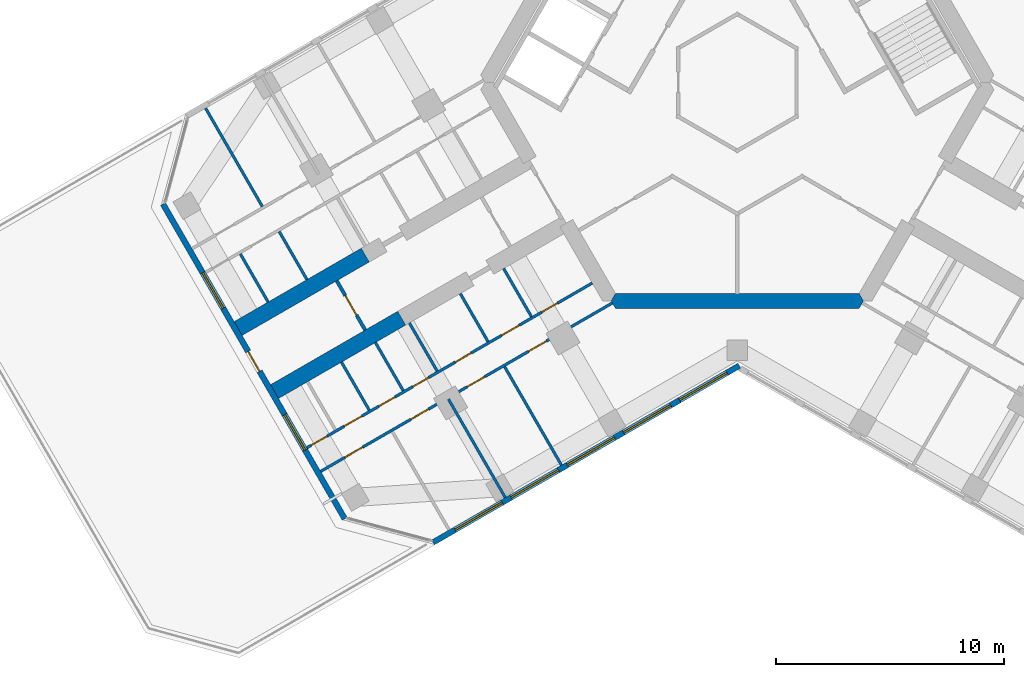
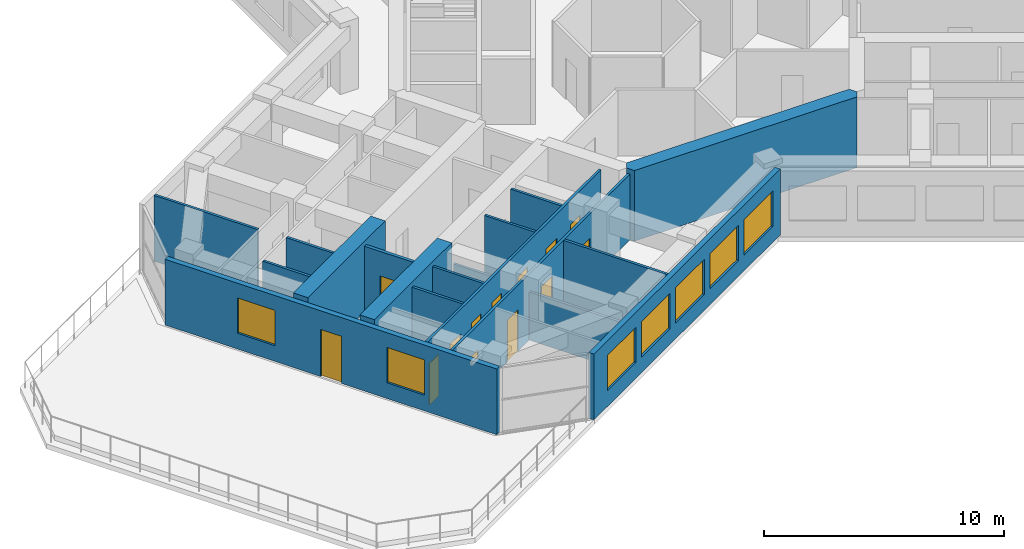
# One storey, part 8 of 17: 18 walls, 13 doors, 7 windows, 20 openings.
"""IFC4 building model written with IfcOpenShell, lengths in metres."""

from ifc_helpers import new_model, si_unit, direction, frame, frame_2d, origin, place, context, subcontext, project, spatial, polyline, rectangle, outline, extrude, material, layer, layer_set, type_object, element, fill, save


model = new_model("IFC4")

# Units and contexts
model_context = context("Model", 3, precision=1e-05, world=origin(), true_north=direction((0.0, 1.0)))
body_context = subcontext(model_context, "Body", "Model", "MODEL_VIEW")
ifc_project = project(units=[si_unit("LENGTHUNIT", "METRE"), si_unit("AREAUNIT", "SQUARE_METRE"), si_unit("VOLUMEUNIT", "CUBIC_METRE"), si_unit("PLANEANGLEUNIT", "RADIAN"), si_unit("MASSUNIT", "GRAM", prefix="KILO")], contexts=[model_context])

# Site, building, storey
site_placement = place(None, origin())
site = spatial("IfcSite", under=ifc_project, at=site_placement, CompositionType="ELEMENT")
building_placement = place(site_placement, origin())
building = spatial("IfcBuilding", under=site, at=building_placement, Name="Kosmar Iwan School Tower", CompositionType="ELEMENT")
storey_placement = place(building_placement, frame((0.0, 0.0, 193.800048828125)))
storey = spatial("IfcBuildingStorey", under=building, at=storey_placement, Name="L48", CompositionType="ELEMENT", Elevation=193.800048828125)

# Walls
ifc_material_1 = material(Name="Concrete C50/60", Category="concrete")
ifc_layer_1 = layer(ifc_material_1, 0.64990234375)
ifc_layer_set_1 = layer_set([ifc_layer_1], Name="Core wall 650")
wall_type_1 = type_object("IfcWallType", Name="Core wall 650", PredefinedType="SHEAR", material=ifc_layer_set_1)
wall_1_placement = place(storey_placement, origin())
element("IfcWall", 1, at=wall_1_placement, inside=storey, type_object=wall_type_1, Name="Core wall F270", PredefinedType="SHEAR", context=body_context, shape_type="SweptSolid", body=[
    extrude(outline(polyline([(-5.35498046875, -9.925048828125), (5.35498046875, -9.925048828125), (5.54248046875, -9.60009765625), (5.35498046875, -9.27490234375), (-5.35498046875, -9.27490234375), (-5.54248046875, -9.60009765625), (-5.35498046875, -9.925048828125)])), origin(), (0.0, 0.0, 1.0), 3.599853515625),
])
ifc_material_2 = material(Name="Concrete C50/60", Category="concrete")
ifc_layer_2 = layer(ifc_material_2, 0.699951171875)
ifc_layer_set_2 = layer_set([ifc_layer_2], Name="Corridor buttress wall 700")
wall_type_2 = type_object("IfcWallType", Name="Corridor buttress wall 700", PredefinedType="SHEAR", material=ifc_layer_set_2)
wall_2_placement = place(storey_placement, frame((-14.7451171875, -10.360595703125, 0.0), z_axis=(0.0, 0.0, 1.0), x_axis=(-0.866021702275, -0.500006411147, 0.0)))
element("IfcWall", 2, at=wall_2_placement, inside=storey, type_object=wall_type_2, Name="Corridor wall BL bay 2", PredefinedType="SHEAR", context=body_context, shape_type="SweptSolid", body=[
    extrude(rectangle(XDim=6.4501953125, YDim=0.699951171875, at=frame_2d((3.22509765625, 0.0))), origin(), (0.0, 0.0, 1.0), 3.599853515625),
])
wall_3_placement = place(storey_placement, frame((-16.34521484375, -7.58935546875, 0.0), z_axis=(0.0, 0.0, 1.0), x_axis=(-0.866012238917, -0.500022801525, 0.0)))
element("IfcWall", 3, at=wall_3_placement, inside=storey, type_object=wall_type_2, Name="Corridor wall BR bay 2", PredefinedType="SHEAR", context=body_context, shape_type="SweptSolid", body=[
    extrude(rectangle(XDim=6.449951171875, YDim=0.699951171875, at=frame_2d((3.22509765625, 0.0))), origin(), (0.0, 0.0, 1.0), 3.599853515625),
])

# Wall, opening, door
ifc_material_3 = material(Name="Gypsum board on steel studs, fire-rated", Category="steel")
ifc_layer_3 = layer(ifc_material_3, 0.14990234375)
ifc_layer_set_3 = layer_set([ifc_layer_3], Name="Corridor end wall 150")
wall_type_3 = type_object("IfcWallType", Name="Corridor end wall 150", PredefinedType="PARTITIONING", material=ifc_layer_set_3)
wall_4_placement = place(storey_placement, frame((-17.59912109375, -8.717529296875, 0.0), z_axis=(0.0, 0.0, 1.0), x_axis=(0.500004234368, -0.866022959057, 0.0)))
wall_4 = element("IfcWall", 4, at=wall_4_placement, inside=storey, type_object=wall_type_3, Name="Partition L48-B-CE", PredefinedType="PARTITIONING", context=body_context, shape_type="SweptSolid", body=[
    extrude(rectangle(XDim=2.5, YDim=0.14990234375, at=frame_2d((1.25, 0.0))), origin(), (0.0, 0.0, 1.0), 3.349853515625),
])
opening_1_placement = place(wall_4_placement, frame((0.75, 0.0, 0.0)))
opening_1 = element("IfcOpeningElement", 5, at=opening_1_placement, cuts=wall_4, Name="Opening D13", PredefinedType="OPENING", context=body_context, shape_type="SweptSolid", body=[
    extrude(rectangle(XDim=1.0, YDim=2.10009765625, at=frame_2d((0.5, 1.050048828125))), frame((0.0, 0.0869140625, 0.0), z_axis=(0.0, -1.0, 0.0), x_axis=(1.0, 0.0, 0.0)), (0.0, 0.0, 1.0), 0.173828125),
])
ifc_material_4 = material(Name="Timber fire door with vision panel", Category="wood")
door_type_1 = type_object("IfcDoorType", Name="Corridor end door 1000x2100", OperationType="SINGLE_SWING_LEFT", PredefinedType="DOOR", material=ifc_material_4)
door_1_placement = place(opening_1_placement, origin())
door_1 = element("IfcDoor", 6, at=door_1_placement, inside=storey, type_object=door_type_1, Name="Roof plant room door L48-B", OperationType="SINGLE_SWING_LEFT", OverallHeight=2.10009765625, OverallWidth=1.0, PredefinedType="DOOR", context=body_context, shape_type="SweptSolid", body=[
    extrude(rectangle(XDim=1.0, YDim=2.10009765625, at=frame_2d((0.5, 1.050048828125))), frame((0.0, 0.02490234375, 0.0), z_axis=(0.0, -1.0, 0.0), x_axis=(1.0, 0.0, 0.0)), (0.0, 0.0, 1.0), 0.050048828125),
])
fill(opening_1, door_1)

# Wall, openings, doors
ifc_material_5 = material(Name="Gypsum board on steel studs", Category="steel")
ifc_layer_4 = layer(ifc_material_5, 0.1201171875)
ifc_layer_set_4 = layer_set([ifc_layer_4], Name="Dwelling partition 120")
wall_type_4 = type_object("IfcWallType", Name="Dwelling partition 120", PredefinedType="PARTITIONING", material=ifc_layer_set_4)
wall_5_placement = place(storey_placement, frame((-6.370361328125, -8.81640625, 0.0), z_axis=(0.0, 0.0, 1.0), x_axis=(-0.866029982428, -0.499992069472, 0.0)))
wall_5 = element("IfcWall", 7, at=wall_5_placement, inside=storey, type_object=wall_type_4, Name="Partition L48-BL1-W1", PredefinedType="PARTITIONING", context=body_context, shape_type="SweptSolid", body=[
    extrude(rectangle(XDim=14.474853515625, YDim=0.1201171875, at=frame_2d((7.2373046875, 0.0))), origin(), (0.0, 0.0, 1.0), 3.349853515625),
])
opening_2_placement = place(wall_5_placement, frame((1.764892578125, 0.0, 0.0)))
opening_2 = element("IfcOpeningElement", 8, at=opening_2_placement, cuts=wall_5, Name="Opening D3", PredefinedType="OPENING", context=body_context, shape_type="SweptSolid", body=[
    extrude(rectangle(XDim=0.800048828125, YDim=2.10009765625, at=frame_2d((0.39990234375, 1.050048828125))), frame((0.0, 0.072021484375, 0.0), z_axis=(0.0, -1.0, 0.0), x_axis=(1.0, 0.0, 0.0)), (0.0, 0.0, 1.0), 0.14404296875),
])
opening_3_placement = place(wall_5_placement, frame((3.705078125, 0.0, 0.0)))
opening_3 = element("IfcOpeningElement", 9, at=opening_3_placement, cuts=wall_5, Name="Opening D2", PredefinedType="OPENING", context=body_context, shape_type="SweptSolid", body=[
    extrude(rectangle(XDim=0.89990234375, YDim=2.10009765625, at=frame_2d((0.449951171875, 1.050048828125))), frame((0.0, 0.072021484375, 0.0), z_axis=(0.0, -1.0, 0.0), x_axis=(1.0, 0.0, 0.0)), (0.0, 0.0, 1.0), 0.14404296875),
])
opening_4_placement = place(wall_5_placement, frame((6.146484375, 0.0, 0.0)))
opening_4 = element("IfcOpeningElement", 10, at=opening_4_placement, cuts=wall_5, Name="Opening D3", PredefinedType="OPENING", context=body_context, shape_type="SweptSolid", body=[
    extrude(rectangle(XDim=0.800048828125, YDim=2.10009765625, at=frame_2d((0.39990234375, 1.050048828125))), frame((0.0, 0.072021484375, 0.0), z_axis=(0.0, -1.0, 0.0), x_axis=(1.0, 0.0, 0.0)), (0.0, 0.0, 1.0), 0.14404296875),
])
opening_5_placement = place(wall_5_placement, frame((8.298583984375, 0.0, 0.0)))
opening_5 = element("IfcOpeningElement", 11, at=opening_5_placement, cuts=wall_5, Name="Opening D3", PredefinedType="OPENING", context=body_context, shape_type="SweptSolid", body=[
    extrude(rectangle(XDim=0.800048828125, YDim=2.10009765625, at=frame_2d((0.39990234375, 1.050048828125))), frame((0.0, 0.072021484375, 0.0), z_axis=(0.0, -1.0, 0.0), x_axis=(1.0, 0.0, 0.0)), (0.0, 0.0, 1.0), 0.14404296875),
])
opening_6_placement = place(wall_5_placement, frame((10.0205078125, 0.0, 0.0)))
opening_6 = element("IfcOpeningElement", 12, at=opening_6_placement, cuts=wall_5, Name="Opening D3", PredefinedType="OPENING", context=body_context, shape_type="SweptSolid", body=[
    extrude(rectangle(XDim=0.800048828125, YDim=2.10009765625, at=frame_2d((0.39990234375, 1.050048828125))), frame((0.0, 0.072021484375, 0.0), z_axis=(0.0, -1.0, 0.0), x_axis=(1.0, 0.0, 0.0)), (0.0, 0.0, 1.0), 0.14404296875),
])
opening_7_placement = place(wall_5_placement, frame((11.6923828125, 0.0, 0.0)))
opening_7 = element("IfcOpeningElement", 13, at=opening_7_placement, cuts=wall_5, Name="Opening D2", PredefinedType="OPENING", context=body_context, shape_type="SweptSolid", body=[
    extrude(rectangle(XDim=0.89990234375, YDim=2.10009765625, at=frame_2d((0.449951171875, 1.050048828125))), frame((0.0, 0.072021484375, 0.0), z_axis=(0.0, -1.0, 0.0), x_axis=(1.0, 0.0, 0.0)), (0.0, 0.0, 1.0), 0.14404296875),
])
opening_8_placement = place(wall_5_placement, frame((13.464111328125, 0.0, 0.0)))
opening_8 = element("IfcOpeningElement", 14, at=opening_8_placement, cuts=wall_5, Name="Opening D3", PredefinedType="OPENING", context=body_context, shape_type="SweptSolid", body=[
    extrude(rectangle(XDim=0.800048828125, YDim=2.10009765625, at=frame_2d((0.39990234375, 1.050048828125))), frame((0.0, 0.072021484375, 0.0), z_axis=(0.0, -1.0, 0.0), x_axis=(1.0, 0.0, 0.0)), (0.0, 0.0, 1.0), 0.14404296875),
])
ifc_material_6 = material(Name="Timber door in timber frame", Category="wood")
door_type_2 = type_object("IfcDoorType", Name="Internal door 900x2100", OperationType="SINGLE_SWING_LEFT", PredefinedType="DOOR", material=ifc_material_6)
door_2_placement = place(opening_3_placement, origin())
door_2 = element("IfcDoor", 15, at=door_2_placement, inside=storey, type_object=door_type_2, Name="Entrance hall door L48-BL1-S2", OperationType="SINGLE_SWING_LEFT", OverallHeight=2.10009765625, OverallWidth=0.89990234375, PredefinedType="DOOR", context=body_context, shape_type="SweptSolid", body=[
    extrude(rectangle(XDim=0.89990234375, YDim=2.10009765625, at=frame_2d((0.449951171875, 1.050048828125))), frame((0.0, 0.02490234375, 0.0), z_axis=(0.0, -1.0, 0.0), x_axis=(1.0, 0.0, 0.0)), (0.0, 0.0, 1.0), 0.050048828125),
])
fill(opening_3, door_2)
door_3_placement = place(opening_7_placement, origin())
door_3 = element("IfcDoor", 16, at=door_3_placement, inside=storey, type_object=door_type_2, Name="Pantry door L48-BL1-S6", OperationType="SINGLE_SWING_RIGHT", OverallHeight=2.10009765625, OverallWidth=0.89990234375, PredefinedType="DOOR", context=body_context, shape_type="SweptSolid", body=[
    extrude(rectangle(XDim=0.89990234375, YDim=2.10009765625, at=frame_2d((0.449951171875, 1.050048828125))), frame((0.0, 0.02490234375, 0.0), z_axis=(0.0, -1.0, 0.0), x_axis=(1.0, 0.0, 0.0)), (0.0, 0.0, 1.0), 0.050048828125),
])
fill(opening_7, door_3)
ifc_material_7 = material(Name="Timber door in timber frame", Category="wood")
door_type_3 = type_object("IfcDoorType", Name="Sanitary room door 800x2100", OperationType="SINGLE_SWING_LEFT", PredefinedType="DOOR", material=ifc_material_7)
door_4_placement = place(opening_2_placement, origin())
door_4 = element("IfcDoor", 17, at=door_4_placement, inside=storey, type_object=door_type_3, Name="WC door L48-BL1-S1", OperationType="SINGLE_SWING_LEFT", OverallHeight=2.10009765625, OverallWidth=0.800048828125, PredefinedType="DOOR", context=body_context, shape_type="SweptSolid", body=[
    extrude(rectangle(XDim=0.800048828125, YDim=2.10009765625, at=frame_2d((0.39990234375, 1.050048828125))), frame((0.0, 0.02490234375, 0.0), z_axis=(0.0, -1.0, 0.0), x_axis=(1.0, 0.0, 0.0)), (0.0, 0.0, 1.0), 0.050048828125),
])
fill(opening_2, door_4)
door_5_placement = place(opening_4_placement, origin())
door_5 = element("IfcDoor", 18, at=door_5_placement, inside=storey, type_object=door_type_3, Name="Bathroom door L48-BL1-S3", OperationType="SINGLE_SWING_LEFT", OverallHeight=2.10009765625, OverallWidth=0.800048828125, PredefinedType="DOOR", context=body_context, shape_type="SweptSolid", body=[
    extrude(rectangle(XDim=0.800048828125, YDim=2.10009765625, at=frame_2d((0.39990234375, 1.050048828125))), frame((0.0, 0.02490234375, 0.0), z_axis=(0.0, -1.0, 0.0), x_axis=(1.0, 0.0, 0.0)), (0.0, 0.0, 1.0), 0.050048828125),
])
fill(opening_4, door_5)
door_6_placement = place(opening_5_placement, origin())
door_6 = element("IfcDoor", 19, at=door_6_placement, inside=storey, type_object=door_type_3, Name="Grandparents' shower room door L48-BL1-S4", OperationType="SINGLE_SWING_RIGHT", OverallHeight=2.10009765625, OverallWidth=0.800048828125, PredefinedType="DOOR", context=body_context, shape_type="SweptSolid", body=[
    extrude(rectangle(XDim=0.800048828125, YDim=2.10009765625, at=frame_2d((0.39990234375, 1.050048828125))), frame((0.0, 0.02490234375, 0.0), z_axis=(0.0, -1.0, 0.0), x_axis=(1.0, 0.0, 0.0)), (0.0, 0.0, 1.0), 0.050048828125),
])
fill(opening_5, door_6)
door_7_placement = place(opening_6_placement, origin())
door_7 = element("IfcDoor", 20, at=door_7_placement, inside=storey, type_object=door_type_3, Name="Shower room door L48-BL1-S5", OperationType="SINGLE_SWING_RIGHT", OverallHeight=2.10009765625, OverallWidth=0.800048828125, PredefinedType="DOOR", context=body_context, shape_type="SweptSolid", body=[
    extrude(rectangle(XDim=0.800048828125, YDim=2.10009765625, at=frame_2d((0.39990234375, 1.050048828125))), frame((0.0, 0.02490234375, 0.0), z_axis=(0.0, -1.0, 0.0), x_axis=(1.0, 0.0, 0.0)), (0.0, 0.0, 1.0), 0.050048828125),
])
fill(opening_6, door_7)
door_8_placement = place(opening_8_placement, origin())
door_8 = element("IfcDoor", 21, at=door_8_placement, inside=storey, type_object=door_type_3, Name="Store door L48-BL1-S7", OperationType="SINGLE_SWING_RIGHT", OverallHeight=2.10009765625, OverallWidth=0.800048828125, PredefinedType="DOOR", context=body_context, shape_type="SweptSolid", body=[
    extrude(rectangle(XDim=0.800048828125, YDim=2.10009765625, at=frame_2d((0.39990234375, 1.050048828125))), frame((0.0, 0.02490234375, 0.0), z_axis=(0.0, -1.0, 0.0), x_axis=(1.0, 0.0, 0.0)), (0.0, 0.0, 1.0), 0.050048828125),
])
fill(opening_8, door_8)

wall_6_placement = place(storey_placement, frame((-5.48876953125, -9.693115234375, 0.0), z_axis=(0.0, 0.0, 1.0), x_axis=(-0.86602763084, -0.499996142607, 0.0)))
wall_6 = element("IfcWall", 22, at=wall_6_placement, inside=storey, type_object=wall_type_4, Name="Partition L48-BL1-W2", PredefinedType="PARTITIONING", context=body_context, shape_type="SweptSolid", body=[
    extrude(rectangle(XDim=14.7998046875, YDim=0.1201171875, at=frame_2d((7.39990234375, 0.0))), origin(), (0.0, 0.0, 1.0), 3.349853515625),
])
opening_9_placement = place(wall_6_placement, frame((3.35009765625, 0.0, 0.0)))
opening_9 = element("IfcOpeningElement", 23, at=opening_9_placement, cuts=wall_6, Name="Opening D2", PredefinedType="OPENING", context=body_context, shape_type="SweptSolid", body=[
    extrude(rectangle(XDim=0.89990234375, YDim=2.10009765625, at=frame_2d((0.449951171875, 1.050048828125))), frame((0.0, 0.072021484375, 0.0), z_axis=(0.0, -1.0, 0.0), x_axis=(1.0, 0.0, 0.0)), (0.0, 0.0, 1.0), 0.14404296875),
])
opening_10_placement = place(wall_6_placement, frame((6.47509765625, 0.0, 0.0)))
opening_10 = element("IfcOpeningElement", 24, at=opening_10_placement, cuts=wall_6, Name="Opening D2", PredefinedType="OPENING", context=body_context, shape_type="SweptSolid", body=[
    extrude(rectangle(XDim=0.89990234375, YDim=2.10009765625, at=frame_2d((0.449951171875, 1.050048828125))), frame((0.0, 0.072021484375, 0.0), z_axis=(0.0, -1.0, 0.0), x_axis=(1.0, 0.0, 0.0)), (0.0, 0.0, 1.0), 0.14404296875),
])
opening_11_placement = place(wall_6_placement, frame((9.324951171875, 0.0, 0.0)))
opening_11 = element("IfcOpeningElement", 25, at=opening_11_placement, cuts=wall_6, Name="Opening D2", PredefinedType="OPENING", context=body_context, shape_type="SweptSolid", body=[
    extrude(rectangle(XDim=0.89990234375, YDim=2.10009765625, at=frame_2d((0.449951171875, 1.050048828125))), frame((0.0, 0.072021484375, 0.0), z_axis=(0.0, -1.0, 0.0), x_axis=(1.0, 0.0, 0.0)), (0.0, 0.0, 1.0), 0.14404296875),
])
opening_12_placement = place(wall_6_placement, frame((12.675048828125, 0.0, 0.0)))
opening_12 = element("IfcOpeningElement", 26, at=opening_12_placement, cuts=wall_6, Name="Opening D2", PredefinedType="OPENING", context=body_context, shape_type="SweptSolid", body=[
    extrude(rectangle(XDim=0.89990234375, YDim=2.10009765625, at=frame_2d((0.449951171875, 1.050048828125))), frame((0.0, 0.072021484375, 0.0), z_axis=(0.0, -1.0, 0.0), x_axis=(1.0, 0.0, 0.0)), (0.0, 0.0, 1.0), 0.14404296875),
])
door_9_placement = place(opening_9_placement, origin())
door_9 = element("IfcDoor", 27, at=door_9_placement, inside=storey, type_object=door_type_2, Name="Family room and kitchen door L48-BL1-F1", OperationType="SINGLE_SWING_RIGHT", OverallHeight=2.10009765625, OverallWidth=0.89990234375, PredefinedType="DOOR", context=body_context, shape_type="SweptSolid", body=[
    extrude(rectangle(XDim=0.89990234375, YDim=2.10009765625, at=frame_2d((0.449951171875, 1.050048828125))), frame((0.0, 0.02490234375, 0.0), z_axis=(0.0, -1.0, 0.0), x_axis=(1.0, 0.0, 0.0)), (0.0, 0.0, 1.0), 0.050048828125),
])
fill(opening_9, door_9)
door_10_placement = place(opening_10_placement, origin())
door_10 = element("IfcDoor", 28, at=door_10_placement, inside=storey, type_object=door_type_2, Name="Grandparents' suite door L48-BL1-F2", OperationType="SINGLE_SWING_LEFT", OverallHeight=2.10009765625, OverallWidth=0.89990234375, PredefinedType="DOOR", context=body_context, shape_type="SweptSolid", body=[
    extrude(rectangle(XDim=0.89990234375, YDim=2.10009765625, at=frame_2d((0.449951171875, 1.050048828125))), frame((0.0, 0.02490234375, 0.0), z_axis=(0.0, -1.0, 0.0), x_axis=(1.0, 0.0, 0.0)), (0.0, 0.0, 1.0), 0.050048828125),
])
fill(opening_10, door_10)
door_11_placement = place(opening_11_placement, origin())
door_11 = element("IfcDoor", 29, at=door_11_placement, inside=storey, type_object=door_type_2, Name="Bedroom 1 door L48-BL1-F3", OperationType="SINGLE_SWING_RIGHT", OverallHeight=2.10009765625, OverallWidth=0.89990234375, PredefinedType="DOOR", context=body_context, shape_type="SweptSolid", body=[
    extrude(rectangle(XDim=0.89990234375, YDim=2.10009765625, at=frame_2d((0.449951171875, 1.050048828125))), frame((0.0, 0.02490234375, 0.0), z_axis=(0.0, -1.0, 0.0), x_axis=(1.0, 0.0, 0.0)), (0.0, 0.0, 1.0), 0.050048828125),
])
fill(opening_11, door_11)
door_12_placement = place(opening_12_placement, origin())
door_12 = element("IfcDoor", 30, at=door_12_placement, inside=storey, type_object=door_type_2, Name="Bedroom 2 door L48-BL1-F4", OperationType="SINGLE_SWING_RIGHT", OverallHeight=2.10009765625, OverallWidth=0.89990234375, PredefinedType="DOOR", context=body_context, shape_type="SweptSolid", body=[
    extrude(rectangle(XDim=0.89990234375, YDim=2.10009765625, at=frame_2d((0.449951171875, 1.050048828125))), frame((0.0, 0.02490234375, 0.0), z_axis=(0.0, -1.0, 0.0), x_axis=(1.0, 0.0, 0.0)), (0.0, 0.0, 1.0), 0.050048828125),
])
fill(opening_12, door_12)

# Walls
wall_7_placement = place(storey_placement, frame((-10.221923828125, -12.4951171875, 0.0), z_axis=(0.0, 0.0, 1.0), x_axis=(0.499996339024, -0.86602751744, 0.0)))
element("IfcWall", 31, at=wall_7_placement, inside=storey, type_object=wall_type_4, Name="Partition L48-BL1-X1", PredefinedType="PARTITIONING", context=body_context, shape_type="SweptSolid", body=[
    extrude(rectangle(XDim=4.98974609375, YDim=0.1201171875, at=frame_2d((2.494873046875, 0.0))), origin(), (0.0, 0.0, 1.0), 3.349853515625),
])
wall_8_placement = place(storey_placement, frame((-12.690185546875, -13.919921875, 0.0), z_axis=(0.0, 0.0, 1.0), x_axis=(0.500011847778, -0.866018563358, 0.0)))
element("IfcWall", 32, at=wall_8_placement, inside=storey, type_object=wall_type_4, Name="Partition L48-BL1-X2", PredefinedType="PARTITIONING", context=body_context, shape_type="SweptSolid", body=[
    extrude(rectangle(XDim=4.990234375, YDim=0.1201171875, at=frame_2d((2.4951171875, 0.0))), origin(), (0.0, 0.0, 1.0), 2.449951171875),
])
for number, where, z_axis, x_axis, name in (
    (33, (-10.26611328125, -8.1787109375, 0.0), (0.0, 0.0, 1.0), (0.500077547548, -0.865980627057, 0.0), "Partition L48-BL1-Y1"),
    (34, (-12.17138671875, -9.27880859375, 0.0), (0.0, 0.0, 1.0), (0.500077547548, -0.865980627057, 0.0), "Partition L48-BL1-Y2"),
):
    element("IfcWall", number, at=place(storey_placement, frame(where, z_axis=z_axis, x_axis=x_axis)), inside=storey, type_object=wall_type_4, Name=name, PredefinedType="PARTITIONING", context=body_context, shape_type="SweptSolid", body=[
        extrude(rectangle(XDim=2.43994140625, YDim=0.1201171875, at=frame_2d((1.219970703125, 0.0))), origin(), (0.0, 0.0, 1.0), 3.349853515625),
    ])
wall_9_placement = place(storey_placement, frame((-14.407958984375, -10.570068359375, 0.0), z_axis=(0.0, 0.0, 1.0), x_axis=(0.500002508028, -0.866023955769, 0.0)))
element("IfcWall", 35, at=wall_9_placement, inside=storey, type_object=wall_type_4, Name="Partition L48-BL1-Y3", PredefinedType="PARTITIONING", context=body_context, shape_type="SweptSolid", body=[
    extrude(rectangle(XDim=2.43994140625, YDim=0.1201171875, at=frame_2d((1.219970703125, 0.0))), origin(), (0.0, 0.0, 1.0), 2.449951171875),
])
wall_10_placement = place(storey_placement, frame((-15.899169921875, -11.430908203125, 0.0), z_axis=(0.0, 0.0, 1.0), x_axis=(0.499959183527, -0.866048967903, 0.0)))
element("IfcWall", 36, at=wall_10_placement, inside=storey, type_object=wall_type_4, Name="Partition L48-BL1-Y4", PredefinedType="PARTITIONING", context=body_context, shape_type="SweptSolid", body=[
    extrude(rectangle(XDim=2.440185546875, YDim=0.1201171875, at=frame_2d((1.22021484375, 0.0))), origin(), (0.0, 0.0, 1.0), 3.349853515625),
])
wall_11_placement = place(storey_placement, frame((-17.39013671875, -12.2919921875, 0.0), z_axis=(0.0, 0.0, 1.0), x_axis=(0.500002508028, -0.866023955769, 0.0)))
element("IfcWall", 37, at=wall_11_placement, inside=storey, type_object=wall_type_4, Name="Partition L48-BL1-Y5", PredefinedType="PARTITIONING", context=body_context, shape_type="SweptSolid", body=[
    extrude(rectangle(XDim=2.43994140625, YDim=0.1201171875, at=frame_2d((1.219970703125, 0.0))), origin(), (0.0, 0.0, 1.0), 3.349853515625),
])
wall_12_placement = place(storey_placement, frame((-20.868408203125, -5.455078125, 0.0), z_axis=(0.0, 0.0, 1.0), x_axis=(-0.499975153383, 0.86603974851, 0.0)))
element("IfcWall", 38, at=wall_12_placement, inside=storey, type_object=wall_type_4, Name="Partition L48-BR1-X3", PredefinedType="PARTITIONING", context=body_context, shape_type="SweptSolid", body=[
    extrude(rectangle(XDim=4.989990234375, YDim=0.1201171875, at=frame_2d((2.4951171875, 0.0))), origin(), (0.0, 0.0, 1.0), 3.349853515625),
])
wall_13_placement = place(storey_placement, frame((-18.907958984375, -8.664794921875, 0.0), z_axis=(0.0, 0.0, 1.0), x_axis=(-0.500002508028, 0.866023955769, 0.0)))
element("IfcWall", 39, at=wall_13_placement, inside=storey, type_object=wall_type_4, Name="Partition L48-BR1-Y5", PredefinedType="PARTITIONING", context=body_context, shape_type="SweptSolid", body=[
    extrude(rectangle(XDim=2.43994140625, YDim=0.1201171875, at=frame_2d((1.219970703125, 0.0))), origin(), (0.0, 0.0, 1.0), 3.349853515625),
])
wall_14_placement = place(storey_placement, frame((-20.615234375, -9.650634765625, 0.0), z_axis=(0.0, 0.0, 1.0), x_axis=(-0.499959183527, 0.866048967903, 0.0)))
element("IfcWall", 40, at=wall_14_placement, inside=storey, type_object=wall_type_4, Name="Partition L48-BR1-Y6", PredefinedType="PARTITIONING", context=body_context, shape_type="SweptSolid", body=[
    extrude(rectangle(XDim=2.440185546875, YDim=0.1201171875, at=frame_2d((1.22021484375, 0.0))), origin(), (0.0, 0.0, 1.0), 3.349853515625),
])

# Wall, openings, windows
ifc_material_8 = material(Name="Black aluminium rainscreen on insulated framing", Category="aluminium")
ifc_layer_5 = layer(ifc_material_8, 0.25)
ifc_layer_set_5 = layer_set([ifc_layer_5], Name="External wall rainscreen 250")
wall_type_5 = type_object("IfcWallType", Name="External wall rainscreen 250", PredefinedType="SOLIDWALL", material=ifc_layer_set_5)
wall_15_placement = place(storey_placement, frame((0.088134765625, -12.44873046875, 0.0), z_axis=(0.0, 0.0, 1.0), x_axis=(-0.866029894971, -0.499992220956, 0.0)))
wall_15 = element("IfcWall", 41, at=wall_15_placement, inside=storey, type_object=wall_type_5, Name="External wall BL L48", PredefinedType="SOLIDWALL", context=body_context, shape_type="SweptSolid", body=[
    extrude(rectangle(XDim=15.537353515625, YDim=0.25, at=frame_2d((7.7685546875, 0.0))), origin(), (0.0, 0.0, 1.0), 3.349853515625),
])
opening_13_placement = place(wall_15_placement, frame((0.626953125, 0.0, 0.800048828125)))
opening_13 = element("IfcOpeningElement", 42, at=opening_13_placement, cuts=wall_15, Name="Opening W5", PredefinedType="OPENING", context=body_context, shape_type="SweptSolid", body=[
    extrude(rectangle(XDim=2.39990234375, YDim=1.800048828125, at=frame_2d((1.199951171875, 0.89990234375))), frame((0.0, 0.136962890625, 0.0), z_axis=(0.0, -1.0, 0.0), x_axis=(1.0, 0.0, 0.0)), (0.0, 0.0, 1.0), 0.27392578125),
])
opening_14_placement = place(wall_15_placement, frame((3.47705078125, 0.0, 0.800048828125)))
opening_14 = element("IfcOpeningElement", 43, at=opening_14_placement, cuts=wall_15, Name="Opening W5", PredefinedType="OPENING", context=body_context, shape_type="SweptSolid", body=[
    extrude(rectangle(XDim=2.39990234375, YDim=1.800048828125, at=frame_2d((1.199951171875, 0.89990234375))), frame((0.0, 0.136962890625, 0.0), z_axis=(0.0, -1.0, 0.0), x_axis=(1.0, 0.0, 0.0)), (0.0, 0.0, 1.0), 0.27392578125),
])
opening_15_placement = place(wall_15_placement, frame((6.326904296875, 0.0, 0.800048828125)))
opening_15 = element("IfcOpeningElement", 44, at=opening_15_placement, cuts=wall_15, Name="Opening W5", PredefinedType="OPENING", context=body_context, shape_type="SweptSolid", body=[
    extrude(rectangle(XDim=2.39990234375, YDim=1.800048828125, at=frame_2d((1.199951171875, 0.89990234375))), frame((0.0, 0.136962890625, 0.0), z_axis=(0.0, -1.0, 0.0), x_axis=(1.0, 0.0, 0.0)), (0.0, 0.0, 1.0), 0.27392578125),
])
opening_16_placement = place(wall_15_placement, frame((9.177001953125, 0.0, 0.800048828125)))
opening_16 = element("IfcOpeningElement", 45, at=opening_16_placement, cuts=wall_15, Name="Opening W5", PredefinedType="OPENING", context=body_context, shape_type="SweptSolid", body=[
    extrude(rectangle(XDim=2.39990234375, YDim=1.800048828125, at=frame_2d((1.199951171875, 0.89990234375))), frame((0.0, 0.136962890625, 0.0), z_axis=(0.0, -1.0, 0.0), x_axis=(1.0, 0.0, 0.0)), (0.0, 0.0, 1.0), 0.27392578125),
])
opening_17_placement = place(wall_15_placement, frame((12.027099609375, 0.0, 0.800048828125)))
opening_17 = element("IfcOpeningElement", 46, at=opening_17_placement, cuts=wall_15, Name="Opening W5", PredefinedType="OPENING", context=body_context, shape_type="SweptSolid", body=[
    extrude(rectangle(XDim=2.39990234375, YDim=1.800048828125, at=frame_2d((1.199951171875, 0.89990234375))), frame((0.0, 0.136962890625, 0.0), z_axis=(0.0, -1.0, 0.0), x_axis=(1.0, 0.0, 0.0)), (0.0, 0.0, 1.0), 0.27392578125),
])
ifc_material_9 = material(Name="Black aluminium frame with dark triple glazing", Category="aluminium")
window_type_1 = type_object("IfcWindowType", Name="Window 2400x1800", PartitioningType="SINGLE_PANEL", PredefinedType="WINDOW", material=ifc_material_9)
window_1_placement = place(opening_13_placement, origin())
window_1 = element("IfcWindow", 47, at=window_1_placement, inside=storey, type_object=window_type_1, Name="Window BL L48 -1", OverallHeight=1.800048828125, OverallWidth=2.39990234375, PartitioningType="SINGLE_PANEL", PredefinedType="WINDOW", context=body_context, shape_type="SweptSolid", body=[
    extrude(rectangle(XDim=2.39990234375, YDim=1.800048828125, at=frame_2d((1.199951171875, 0.89990234375))), frame((0.0, 0.030029296875, 0.0), z_axis=(0.0, -1.0, 0.0), x_axis=(1.0, 0.0, 0.0)), (0.0, 0.0, 1.0), 0.06005859375),
])
fill(opening_13, window_1)
window_2_placement = place(opening_14_placement, origin())
window_2 = element("IfcWindow", 48, at=window_2_placement, inside=storey, type_object=window_type_1, Name="Window BL L48 0", OverallHeight=1.800048828125, OverallWidth=2.39990234375, PartitioningType="SINGLE_PANEL", PredefinedType="WINDOW", context=body_context, shape_type="SweptSolid", body=[
    extrude(rectangle(XDim=2.39990234375, YDim=1.800048828125, at=frame_2d((1.199951171875, 0.89990234375))), frame((0.0, 0.030029296875, 0.0), z_axis=(0.0, -1.0, 0.0), x_axis=(1.0, 0.0, 0.0)), (0.0, 0.0, 1.0), 0.06005859375),
])
fill(opening_14, window_2)
window_3_placement = place(opening_15_placement, origin())
window_3 = element("IfcWindow", 49, at=window_3_placement, inside=storey, type_object=window_type_1, Name="Window BL L48 1", OverallHeight=1.800048828125, OverallWidth=2.39990234375, PartitioningType="SINGLE_PANEL", PredefinedType="WINDOW", context=body_context, shape_type="SweptSolid", body=[
    extrude(rectangle(XDim=2.39990234375, YDim=1.800048828125, at=frame_2d((1.199951171875, 0.89990234375))), frame((0.0, 0.030029296875, 0.0), z_axis=(0.0, -1.0, 0.0), x_axis=(1.0, 0.0, 0.0)), (0.0, 0.0, 1.0), 0.06005859375),
])
fill(opening_15, window_3)
window_4_placement = place(opening_16_placement, origin())
window_4 = element("IfcWindow", 50, at=window_4_placement, inside=storey, type_object=window_type_1, Name="Window BL L48 2", OverallHeight=1.800048828125, OverallWidth=2.39990234375, PartitioningType="SINGLE_PANEL", PredefinedType="WINDOW", context=body_context, shape_type="SweptSolid", body=[
    extrude(rectangle(XDim=2.39990234375, YDim=1.800048828125, at=frame_2d((1.199951171875, 0.89990234375))), frame((0.0, 0.030029296875, 0.0), z_axis=(0.0, -1.0, 0.0), x_axis=(1.0, 0.0, 0.0)), (0.0, 0.0, 1.0), 0.06005859375),
])
fill(opening_16, window_4)
window_5_placement = place(opening_17_placement, origin())
window_5 = element("IfcWindow", 51, at=window_5_placement, inside=storey, type_object=window_type_1, Name="Window BL L48 3", OverallHeight=1.800048828125, OverallWidth=2.39990234375, PartitioningType="SINGLE_PANEL", PredefinedType="WINDOW", context=body_context, shape_type="SweptSolid", body=[
    extrude(rectangle(XDim=2.39990234375, YDim=1.800048828125, at=frame_2d((1.199951171875, 0.89990234375))), frame((0.0, 0.030029296875, 0.0), z_axis=(0.0, -1.0, 0.0), x_axis=(1.0, 0.0, 0.0)), (0.0, 0.0, 1.0), 0.06005859375),
])
fill(opening_17, window_5)

# Wall, openings, door, windows
ifc_material_10 = material(Name="Black steel framed fire-resisting glazed screen", Category="steel")
ifc_layer_6 = layer(ifc_material_10, 0.25)
ifc_layer_set_6 = layer_set([ifc_layer_6], Name="Fire-resisting terrace screen wall 250")
wall_type_6 = type_object("IfcWallType", Name="Fire-resisting terrace screen wall 250", PredefinedType="SOLIDWALL", material=ifc_layer_set_6)
wall_16_placement = place(storey_placement, frame((-25.23193359375, -5.346923828125, 0.0), z_axis=(0.0, 0.0, 1.0), x_axis=(0.499999455981, -0.866025717874, 0.0)))
wall_16 = element("IfcWall", 52, at=wall_16_placement, inside=storey, type_object=wall_type_6, Name="Terrace screen L48 L48-F11", PredefinedType="SOLIDWALL", context=body_context, shape_type="SweptSolid", body=[
    extrude(rectangle(XDim=15.970703125, YDim=0.25, at=frame_2d((7.9853515625, 0.0))), origin(), (0.0, 0.0, 1.0), 3.349853515625),
])
opening_18_placement = place(wall_16_placement, frame((7.4853515625, 0.0, 0.0)))
opening_18 = element("IfcOpeningElement", 53, at=opening_18_placement, cuts=wall_16, Name="Opening D15", PredefinedType="OPENING", context=body_context, shape_type="SweptSolid", body=[
    extrude(rectangle(XDim=1.0, YDim=2.39990234375, at=frame_2d((0.5, 1.199951171875))), frame((0.0, 0.136962890625, 0.0), z_axis=(0.0, -1.0, 0.0), x_axis=(1.0, 0.0, 0.0)), (0.0, 0.0, 1.0), 0.27392578125),
])
opening_19_placement = place(wall_16_placement, frame((3.4853515625, 0.0, 0.800048828125)))
opening_19 = element("IfcOpeningElement", 54, at=opening_19_placement, cuts=wall_16, Name="Opening W1", PredefinedType="OPENING", context=body_context, shape_type="SweptSolid", body=[
    extrude(rectangle(XDim=1.800048828125, YDim=1.800048828125, at=frame_2d((0.89990234375, 0.89990234375))), frame((0.0, 0.136962890625, 0.0), z_axis=(0.0, -1.0, 0.0), x_axis=(1.0, 0.0, 0.0)), (0.0, 0.0, 1.0), 0.27392578125),
])
opening_20_placement = place(wall_16_placement, frame((10.685302734375, 0.0, 0.800048828125)))
opening_20 = element("IfcOpeningElement", 55, at=opening_20_placement, cuts=wall_16, Name="Opening W1", PredefinedType="OPENING", context=body_context, shape_type="SweptSolid", body=[
    extrude(rectangle(XDim=1.800048828125, YDim=1.800048828125, at=frame_2d((0.89990234375, 0.89990234375))), frame((0.0, 0.136962890625, 0.0), z_axis=(0.0, -1.0, 0.0), x_axis=(1.0, 0.0, 0.0)), (0.0, 0.0, 1.0), 0.27392578125),
])
ifc_material_11 = material(Name="Insulated steel door, weather-sealed", Category="steel")
door_type_4 = type_object("IfcDoorType", Name="Maintenance access door 1000x2400", OperationType="SINGLE_SWING_LEFT", PredefinedType="DOOR", material=ifc_material_11)
door_13_placement = place(opening_18_placement, origin())
door_13 = element("IfcDoor", 56, at=door_13_placement, inside=storey, type_object=door_type_4, Name="Maintenance access door B L48", OperationType="SINGLE_SWING_RIGHT", OverallHeight=2.39990234375, OverallWidth=1.0, PredefinedType="DOOR", context=body_context, shape_type="SweptSolid", body=[
    extrude(rectangle(XDim=1.0, YDim=2.39990234375, at=frame_2d((0.5, 1.199951171875))), frame((0.0, 0.02490234375, 0.0), z_axis=(0.0, -1.0, 0.0), x_axis=(1.0, 0.0, 0.0)), (0.0, 0.0, 1.0), 0.050048828125),
])
fill(opening_18, door_13)
ifc_material_12 = material(Name="Black aluminium frame with dark triple glazing", Category="aluminium")
window_type_2 = type_object("IfcWindowType", Name="Window 1800x1800", PartitioningType="SINGLE_PANEL", PredefinedType="WINDOW", material=ifc_material_12)
window_6_placement = place(opening_19_placement, origin())
window_6 = element("IfcWindow", 57, at=window_6_placement, inside=storey, type_object=window_type_2, Name="Window tip B L48", OverallHeight=1.800048828125, OverallWidth=1.800048828125, PartitioningType="SINGLE_PANEL", PredefinedType="WINDOW", context=body_context, shape_type="SweptSolid", body=[
    extrude(rectangle(XDim=1.800048828125, YDim=1.800048828125, at=frame_2d((0.89990234375, 0.89990234375))), frame((0.0, 0.030029296875, 0.0), z_axis=(0.0, -1.0, 0.0), x_axis=(1.0, 0.0, 0.0)), (0.0, 0.0, 1.0), 0.06005859375),
])
fill(opening_19, window_6)
window_7_placement = place(opening_20_placement, origin())
window_7 = element("IfcWindow", 58, at=window_7_placement, inside=storey, type_object=window_type_2, Name="Window tip B L48", OverallHeight=1.800048828125, OverallWidth=1.800048828125, PartitioningType="SINGLE_PANEL", PredefinedType="WINDOW", context=body_context, shape_type="SweptSolid", body=[
    extrude(rectangle(XDim=1.800048828125, YDim=1.800048828125, at=frame_2d((0.89990234375, 0.89990234375))), frame((0.0, 0.030029296875, 0.0), z_axis=(0.0, -1.0, 0.0), x_axis=(1.0, 0.0, 0.0)), (0.0, 0.0, 1.0), 0.06005859375),
])
fill(opening_20, window_7)

save(model, "model.ifc")
